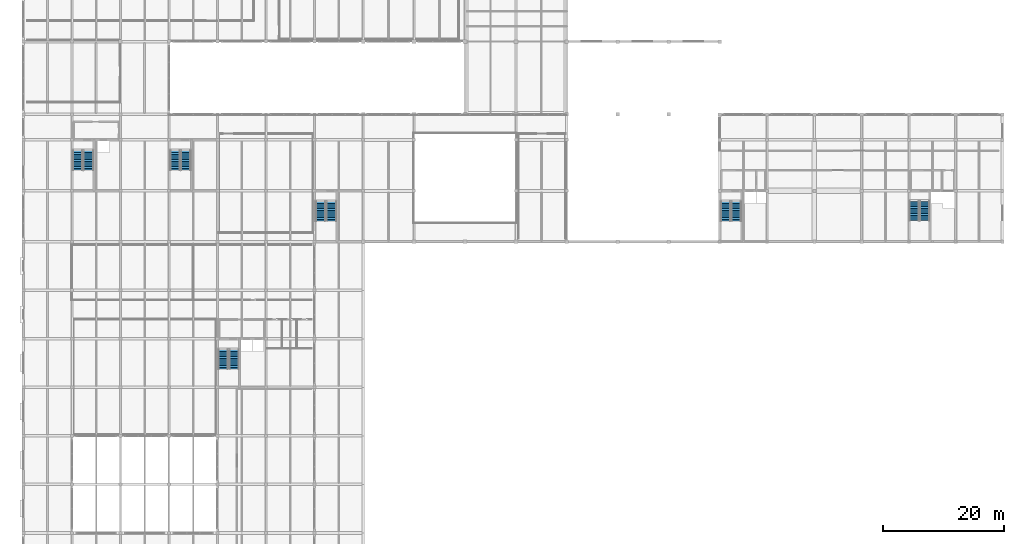
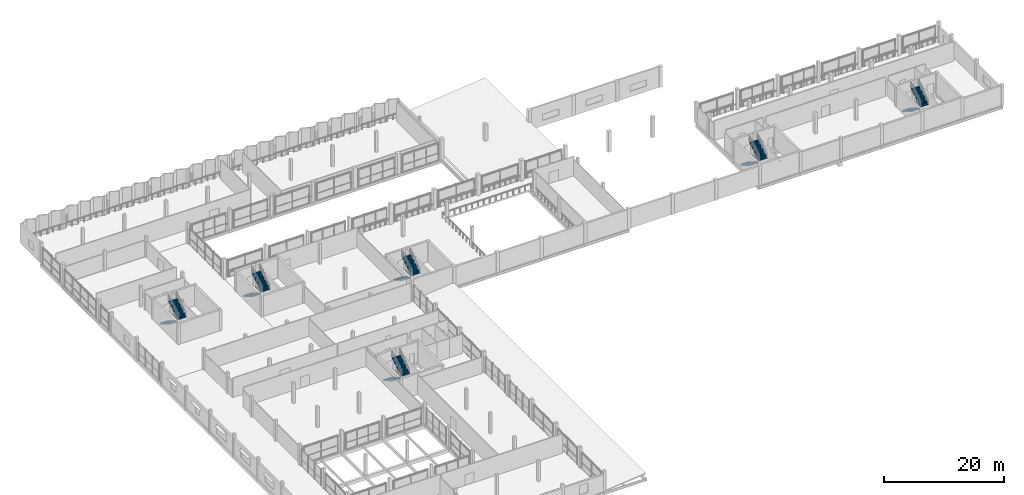
# One storey, part 45 of 53: 12 stair flights, 6 elements without a shape of their own.
"""IFC4 building model written with IfcOpenShell, lengths in metres."""

from ifc_helpers import new_model, si_unit, direction, frame, origin, place, context, subcontext, project, spatial, polyline, outline, extrude, material, type_object, element, aggregate, save


model = new_model("IFC4")

# Units and contexts
model_context = context("Model", 3, precision=1e-05, world=origin(), true_north=direction((0.0, 1.0)))
body_context = subcontext(model_context, "Body", "Model", "MODEL_VIEW")
ifc_project = project(units=[si_unit("LENGTHUNIT", "METRE"), si_unit("AREAUNIT", "SQUARE_METRE"), si_unit("VOLUMEUNIT", "CUBIC_METRE"), si_unit("PLANEANGLEUNIT", "RADIAN"), si_unit("MASSUNIT", "GRAM", prefix="KILO")], contexts=[model_context])

# Site, building, storey
site_placement = place(None, origin())
site = spatial("IfcSite", under=ifc_project, at=site_placement, CompositionType="ELEMENT")
building_placement = place(site_placement, origin())
building = spatial("IfcBuilding", under=site, at=building_placement, Name="Vharandega Faculty of Natural Sciences", CompositionType="ELEMENT")
storey_placement = place(building_placement, frame((0.0, 0.0, 10.199951171875)))
storey = spatial("IfcBuildingStorey", under=building, at=storey_placement, Name="L02", CompositionType="ELEMENT", Elevation=10.199951171875)

# Stair, stair flights
ifc_material_1 = material(Name="Concrete C40/50", Category="concrete")
stair_type_1 = type_object("IfcStairType", Name="Escape Dog-Leg Stair W160 H420", PredefinedType="HALF_TURN_STAIR", material=ifc_material_1)
stair_1_placement = place(storey_placement, origin())
stair_1 = element("IfcStair", 1, at=stair_1_placement, inside=storey, type_object=stair_type_1, Name="L02 Escape Stair ST2", PredefinedType="HALF_TURN_STAIR")
ifc_material_2 = material(Name="Concrete C40/50", Category="concrete")
stair_flight_type_1 = type_object("IfcStairFlightType", Name="Precast Stair Flight W160 H420", PredefinedType="STRAIGHT", material=ifc_material_2)
stair_flight_1_placement = place(storey_placement, frame((146.860107421875, 70.659912109375, 0.0), z_axis=(0.0, 0.0, 1.0), x_axis=(0.0, -1.0, 0.0)))
stair_flight_1 = element("IfcStairFlight", 2, at=stair_flight_1_placement, type_object=stair_flight_type_1, Name="ST2 flight 1", NumberOfRisers=12, NumberOfTreads=11, PredefinedType="STRAIGHT", RiserHeight=0.175, TreadLength=0.29, context=body_context, shape_type="SweptSolid", body=[
    extrude(outline(polyline([(0.0, 0.0), (0.0, 0.175048828125), (0.2900390625, 0.175048828125), (0.2900390625, 0.35009765625), (0.580078125, 0.35009765625), (0.580078125, 0.52490234375), (0.8701171875, 0.52490234375), (0.8701171875, 0.699951171875), (1.159912109375, 0.699951171875), (1.159912109375, 0.875), (1.449951171875, 0.875), (1.449951171875, 1.050048828125), (1.739990234375, 1.050048828125), (1.739990234375, 1.22509765625), (2.030029296875, 1.22509765625), (2.030029296875, 1.39990234375), (2.320068359375, 1.39990234375), (2.320068359375, 1.574951171875), (2.610107421875, 1.574951171875), (2.610107421875, 1.75), (2.89990234375, 1.75), (2.89990234375, 1.925048828125), (3.18994140625, 1.925048828125), (3.18994140625, 2.10009765625), (3.18994140625, 1.75), (0.2900390625, 0.0), (0.0, 0.0)])), frame((0.0, 0.800048828125, 0.0), z_axis=(0.0, -1.0, 0.0), x_axis=(1.0, 0.0, 0.0)), (0.0, 0.0, 1.0), 1.60009765625),
])
stair_flight_2_placement = place(storey_placement, frame((148.580078125, 67.469970703125, 2.10009765625), z_axis=(0.0, 0.0, 1.0), x_axis=(0.0, 1.0, 0.0)))
stair_flight_2 = element("IfcStairFlight", 3, at=stair_flight_2_placement, type_object=stair_flight_type_1, Name="ST2 flight 2", NumberOfRisers=12, NumberOfTreads=11, PredefinedType="STRAIGHT", RiserHeight=0.175, TreadLength=0.29, context=body_context, shape_type="SweptSolid", body=[
    extrude(outline(polyline([(0.0, 0.0), (0.0, 0.175048828125), (0.2900390625, 0.175048828125), (0.2900390625, 0.35009765625), (0.580078125, 0.35009765625), (0.580078125, 0.52490234375), (0.8701171875, 0.52490234375), (0.8701171875, 0.699951171875), (1.159912109375, 0.699951171875), (1.159912109375, 0.875), (1.449951171875, 0.875), (1.449951171875, 1.050048828125), (1.739990234375, 1.050048828125), (1.739990234375, 1.22509765625), (2.030029296875, 1.22509765625), (2.030029296875, 1.39990234375), (2.320068359375, 1.39990234375), (2.320068359375, 1.574951171875), (2.610107421875, 1.574951171875), (2.610107421875, 1.75), (2.89990234375, 1.75), (2.89990234375, 1.925048828125), (3.18994140625, 1.925048828125), (3.18994140625, 2.10009765625), (3.18994140625, 1.75), (0.2900390625, 0.0), (0.0, 0.0)])), frame((0.0, 0.800048828125, 0.0), z_axis=(0.0, -1.0, 0.0), x_axis=(1.0, 0.0, 0.0)), (0.0, 0.0, 1.0), 1.60009765625),
])
aggregate(stair_1, [stair_flight_1, stair_flight_2])

ifc_material_3 = material(Name="Concrete C40/50", Category="concrete")
stair_type_2 = type_object("IfcStairType", Name="Escape Dog-Leg Stair W165 H420", PredefinedType="HALF_TURN_STAIR", material=ifc_material_3)
stair_2_placement = place(storey_placement, origin())
stair_2 = element("IfcStair", 4, at=stair_2_placement, inside=storey, type_object=stair_type_2, Name="L02 Escape Stair ST1", PredefinedType="HALF_TURN_STAIR")
ifc_material_4 = material(Name="Concrete C40/50", Category="concrete")
stair_flight_type_2 = type_object("IfcStairFlightType", Name="Precast Stair Flight W165 H420", PredefinedType="STRAIGHT", material=ifc_material_4)
stair_flight_3_placement = place(storey_placement, frame((115.764892578125, 70.610107421875, 0.0), z_axis=(0.0, 0.0, 1.0), x_axis=(0.0, -1.0, 0.0)))
stair_flight_3 = element("IfcStairFlight", 5, at=stair_flight_3_placement, type_object=stair_flight_type_2, Name="ST1 flight 1", NumberOfRisers=12, NumberOfTreads=11, PredefinedType="STRAIGHT", RiserHeight=0.175, TreadLength=0.29, context=body_context, shape_type="SweptSolid", body=[
    extrude(outline(polyline([(0.0, 0.0), (0.0, 0.175048828125), (0.2900390625, 0.175048828125), (0.2900390625, 0.35009765625), (0.580078125, 0.35009765625), (0.580078125, 0.52490234375), (0.8701171875, 0.52490234375), (0.8701171875, 0.699951171875), (1.159912109375, 0.699951171875), (1.159912109375, 0.875), (1.449951171875, 0.875), (1.449951171875, 1.050048828125), (1.739990234375, 1.050048828125), (1.739990234375, 1.22509765625), (2.030029296875, 1.22509765625), (2.030029296875, 1.39990234375), (2.320068359375, 1.39990234375), (2.320068359375, 1.574951171875), (2.610107421875, 1.574951171875), (2.610107421875, 1.75), (2.89990234375, 1.75), (2.89990234375, 1.925048828125), (3.18994140625, 1.925048828125), (3.18994140625, 2.10009765625), (3.18994140625, 1.75), (0.2900390625, 0.0), (0.0, 0.0)])), frame((0.0, 0.824951171875, 0.0), z_axis=(0.0, -1.0, 0.0), x_axis=(1.0, 0.0, 0.0)), (0.0, 0.0, 1.0), 1.64990234375),
])
stair_flight_4_placement = place(storey_placement, frame((117.534912109375, 67.419921875, 2.10009765625), z_axis=(0.0, 0.0, 1.0), x_axis=(0.0, 1.0, 0.0)))
stair_flight_4 = element("IfcStairFlight", 6, at=stair_flight_4_placement, type_object=stair_flight_type_2, Name="ST1 flight 2", NumberOfRisers=12, NumberOfTreads=11, PredefinedType="STRAIGHT", RiserHeight=0.175, TreadLength=0.29, context=body_context, shape_type="SweptSolid", body=[
    extrude(outline(polyline([(0.0, 0.0), (0.0, 0.175048828125), (0.2900390625, 0.175048828125), (0.2900390625, 0.35009765625), (0.580078125, 0.35009765625), (0.580078125, 0.52490234375), (0.8701171875, 0.52490234375), (0.8701171875, 0.699951171875), (1.159912109375, 0.699951171875), (1.159912109375, 0.875), (1.449951171875, 0.875), (1.449951171875, 1.050048828125), (1.739990234375, 1.050048828125), (1.739990234375, 1.22509765625), (2.030029296875, 1.22509765625), (2.030029296875, 1.39990234375), (2.320068359375, 1.39990234375), (2.320068359375, 1.574951171875), (2.610107421875, 1.574951171875), (2.610107421875, 1.75), (2.89990234375, 1.75), (2.89990234375, 1.925048828125), (3.18994140625, 1.925048828125), (3.18994140625, 2.10009765625), (3.18994140625, 1.75), (0.2900390625, 0.0), (0.0, 0.0)])), frame((0.0, 0.824951171875, 0.0), z_axis=(0.0, -1.0, 0.0), x_axis=(1.0, 0.0, 0.0)), (0.0, 0.0, 1.0), 1.64990234375),
])
aggregate(stair_2, [stair_flight_3, stair_flight_4])

stair_3_placement = place(storey_placement, origin())
stair_3 = element("IfcStair", 7, at=stair_3_placement, inside=storey, type_object=stair_type_2, Name="L02 Escape Stair ST3", PredefinedType="HALF_TURN_STAIR")
stair_flight_5_placement = place(storey_placement, frame((32.965087890625, 46.2099609375, 0.0), z_axis=(0.0, 0.0, 1.0), x_axis=(0.0, -1.0, 0.0)))
stair_flight_5 = element("IfcStairFlight", 8, at=stair_flight_5_placement, type_object=stair_flight_type_2, Name="ST3 flight 1", NumberOfRisers=12, NumberOfTreads=11, PredefinedType="STRAIGHT", RiserHeight=0.175, TreadLength=0.29, context=body_context, shape_type="SweptSolid", body=[
    extrude(outline(polyline([(0.0, 0.0), (0.0, 0.175048828125), (0.2900390625, 0.175048828125), (0.2900390625, 0.35009765625), (0.580078125, 0.35009765625), (0.580078125, 0.52490234375), (0.8701171875, 0.52490234375), (0.8701171875, 0.699951171875), (1.159912109375, 0.699951171875), (1.159912109375, 0.875), (1.449951171875, 0.875), (1.449951171875, 1.050048828125), (1.739990234375, 1.050048828125), (1.739990234375, 1.22509765625), (2.030029296875, 1.22509765625), (2.030029296875, 1.39990234375), (2.320068359375, 1.39990234375), (2.320068359375, 1.574951171875), (2.610107421875, 1.574951171875), (2.610107421875, 1.75), (2.89990234375, 1.75), (2.89990234375, 1.925048828125), (3.18994140625, 1.925048828125), (3.18994140625, 2.10009765625), (3.18994140625, 1.75), (0.2900390625, 0.0), (0.0, 0.0)])), frame((0.0, 0.824951171875, 0.0), z_axis=(0.0, -1.0, 0.0), x_axis=(1.0, 0.0, 0.0)), (0.0, 0.0, 1.0), 1.64990234375),
])
stair_flight_6_placement = place(storey_placement, frame((34.735107421875, 43.02001953125, 2.10009765625), z_axis=(0.0, 0.0, 1.0), x_axis=(0.0, 1.0, 0.0)))
stair_flight_6 = element("IfcStairFlight", 9, at=stair_flight_6_placement, type_object=stair_flight_type_2, Name="ST3 flight 2", NumberOfRisers=12, NumberOfTreads=11, PredefinedType="STRAIGHT", RiserHeight=0.175, TreadLength=0.29, context=body_context, shape_type="SweptSolid", body=[
    extrude(outline(polyline([(0.0, 0.0), (0.0, 0.175048828125), (0.2900390625, 0.175048828125), (0.2900390625, 0.35009765625), (0.580078125, 0.35009765625), (0.580078125, 0.52490234375), (0.8701171875, 0.52490234375), (0.8701171875, 0.699951171875), (1.159912109375, 0.699951171875), (1.159912109375, 0.875), (1.449951171875, 0.875), (1.449951171875, 1.050048828125), (1.739990234375, 1.050048828125), (1.739990234375, 1.22509765625), (2.030029296875, 1.22509765625), (2.030029296875, 1.39990234375), (2.320068359375, 1.39990234375), (2.320068359375, 1.574951171875), (2.610107421875, 1.574951171875), (2.610107421875, 1.75), (2.89990234375, 1.75), (2.89990234375, 1.925048828125), (3.18994140625, 1.925048828125), (3.18994140625, 2.10009765625), (3.18994140625, 1.75), (0.2900390625, 0.0), (0.0, 0.0)])), frame((0.0, 0.824951171875, 0.0), z_axis=(0.0, -1.0, 0.0), x_axis=(1.0, 0.0, 0.0)), (0.0, 0.0, 1.0), 1.64990234375),
])
aggregate(stair_3, [stair_flight_5, stair_flight_6])

stair_4_placement = place(storey_placement, origin())
stair_4 = element("IfcStair", 10, at=stair_4_placement, inside=storey, type_object=stair_type_2, Name="L02 Escape Stair ST4", PredefinedType="HALF_TURN_STAIR")
stair_flight_7_placement = place(storey_placement, frame((8.965087890625, 79.010009765625, 0.0), z_axis=(0.0, 0.0, 1.0), x_axis=(0.0, -1.0, 0.0)))
stair_flight_7 = element("IfcStairFlight", 11, at=stair_flight_7_placement, type_object=stair_flight_type_2, Name="ST4 flight 1", NumberOfRisers=12, NumberOfTreads=11, PredefinedType="STRAIGHT", RiserHeight=0.175, TreadLength=0.29, context=body_context, shape_type="SweptSolid", body=[
    extrude(outline(polyline([(0.0, 0.0), (0.0, 0.175048828125), (0.2900390625, 0.175048828125), (0.2900390625, 0.35009765625), (0.580078125, 0.35009765625), (0.580078125, 0.52490234375), (0.8701171875, 0.52490234375), (0.8701171875, 0.699951171875), (1.159912109375, 0.699951171875), (1.159912109375, 0.875), (1.449951171875, 0.875), (1.449951171875, 1.050048828125), (1.739990234375, 1.050048828125), (1.739990234375, 1.22509765625), (2.030029296875, 1.22509765625), (2.030029296875, 1.39990234375), (2.320068359375, 1.39990234375), (2.320068359375, 1.574951171875), (2.610107421875, 1.574951171875), (2.610107421875, 1.75), (2.89990234375, 1.75), (2.89990234375, 1.925048828125), (3.18994140625, 1.925048828125), (3.18994140625, 2.10009765625), (3.18994140625, 1.75), (0.2900390625, 0.0), (0.0, 0.0)])), frame((0.0, 0.824951171875, 0.0), z_axis=(0.0, -1.0, 0.0), x_axis=(1.0, 0.0, 0.0)), (0.0, 0.0, 1.0), 1.64990234375),
])
stair_flight_8_placement = place(storey_placement, frame((10.735107421875, 75.820068359375, 2.10009765625), z_axis=(0.0, 0.0, 1.0), x_axis=(0.0, 1.0, 0.0)))
stair_flight_8 = element("IfcStairFlight", 12, at=stair_flight_8_placement, type_object=stair_flight_type_2, Name="ST4 flight 2", NumberOfRisers=12, NumberOfTreads=11, PredefinedType="STRAIGHT", RiserHeight=0.175, TreadLength=0.29, context=body_context, shape_type="SweptSolid", body=[
    extrude(outline(polyline([(0.0, 0.0), (0.0, 0.175048828125), (0.2900390625, 0.175048828125), (0.2900390625, 0.35009765625), (0.580078125, 0.35009765625), (0.580078125, 0.52490234375), (0.8701171875, 0.52490234375), (0.8701171875, 0.699951171875), (1.159912109375, 0.699951171875), (1.159912109375, 0.875), (1.449951171875, 0.875), (1.449951171875, 1.050048828125), (1.739990234375, 1.050048828125), (1.739990234375, 1.22509765625), (2.030029296875, 1.22509765625), (2.030029296875, 1.39990234375), (2.320068359375, 1.39990234375), (2.320068359375, 1.574951171875), (2.610107421875, 1.574951171875), (2.610107421875, 1.75), (2.89990234375, 1.75), (2.89990234375, 1.925048828125), (3.18994140625, 1.925048828125), (3.18994140625, 2.10009765625), (3.18994140625, 1.75), (0.2900390625, 0.0), (0.0, 0.0)])), frame((0.0, 0.824951171875, 0.0), z_axis=(0.0, -1.0, 0.0), x_axis=(1.0, 0.0, 0.0)), (0.0, 0.0, 1.0), 1.64990234375),
])
aggregate(stair_4, [stair_flight_7, stair_flight_8])

stair_5_placement = place(storey_placement, origin())
stair_5 = element("IfcStair", 13, at=stair_5_placement, inside=storey, type_object=stair_type_2, Name="L02 Escape Stair ST5", PredefinedType="HALF_TURN_STAIR")
stair_flight_9_placement = place(storey_placement, frame((49.02490234375, 70.610107421875, 0.0), z_axis=(0.0, 0.0, 1.0), x_axis=(0.0, -1.0, 0.0)))
stair_flight_9 = element("IfcStairFlight", 14, at=stair_flight_9_placement, type_object=stair_flight_type_2, Name="ST5 flight 1", NumberOfRisers=12, NumberOfTreads=11, PredefinedType="STRAIGHT", RiserHeight=0.175, TreadLength=0.29, context=body_context, shape_type="SweptSolid", body=[
    extrude(outline(polyline([(0.0, 0.0), (0.0, 0.175048828125), (0.2900390625, 0.175048828125), (0.2900390625, 0.35009765625), (0.580078125, 0.35009765625), (0.580078125, 0.52490234375), (0.8701171875, 0.52490234375), (0.8701171875, 0.699951171875), (1.159912109375, 0.699951171875), (1.159912109375, 0.875), (1.449951171875, 0.875), (1.449951171875, 1.050048828125), (1.739990234375, 1.050048828125), (1.739990234375, 1.22509765625), (2.030029296875, 1.22509765625), (2.030029296875, 1.39990234375), (2.320068359375, 1.39990234375), (2.320068359375, 1.574951171875), (2.610107421875, 1.574951171875), (2.610107421875, 1.75), (2.89990234375, 1.75), (2.89990234375, 1.925048828125), (3.18994140625, 1.925048828125), (3.18994140625, 2.10009765625), (3.18994140625, 1.75), (0.2900390625, 0.0), (0.0, 0.0)])), frame((0.0, 0.824951171875, 0.0), z_axis=(0.0, -1.0, 0.0), x_axis=(1.0, 0.0, 0.0)), (0.0, 0.0, 1.0), 1.64990234375),
])
stair_flight_10_placement = place(storey_placement, frame((50.794921875, 67.419921875, 2.10009765625), z_axis=(0.0, 0.0, 1.0), x_axis=(0.0, 1.0, 0.0)))
stair_flight_10 = element("IfcStairFlight", 15, at=stair_flight_10_placement, type_object=stair_flight_type_2, Name="ST5 flight 2", NumberOfRisers=12, NumberOfTreads=11, PredefinedType="STRAIGHT", RiserHeight=0.175, TreadLength=0.29, context=body_context, shape_type="SweptSolid", body=[
    extrude(outline(polyline([(0.0, 0.0), (0.0, 0.175048828125), (0.2900390625, 0.175048828125), (0.2900390625, 0.35009765625), (0.580078125, 0.35009765625), (0.580078125, 0.52490234375), (0.8701171875, 0.52490234375), (0.8701171875, 0.699951171875), (1.159912109375, 0.699951171875), (1.159912109375, 0.875), (1.449951171875, 0.875), (1.449951171875, 1.050048828125), (1.739990234375, 1.050048828125), (1.739990234375, 1.22509765625), (2.030029296875, 1.22509765625), (2.030029296875, 1.39990234375), (2.320068359375, 1.39990234375), (2.320068359375, 1.574951171875), (2.610107421875, 1.574951171875), (2.610107421875, 1.75), (2.89990234375, 1.75), (2.89990234375, 1.925048828125), (3.18994140625, 1.925048828125), (3.18994140625, 2.10009765625), (3.18994140625, 1.75), (0.2900390625, 0.0), (0.0, 0.0)])), frame((0.0, 0.824951171875, 0.0), z_axis=(0.0, -1.0, 0.0), x_axis=(1.0, 0.0, 0.0)), (0.0, 0.0, 1.0), 1.64990234375),
])
aggregate(stair_5, [stair_flight_9, stair_flight_10])

stair_6_placement = place(storey_placement, origin())
stair_6 = element("IfcStair", 16, at=stair_6_placement, inside=storey, type_object=stair_type_2, Name="L02 Escape Stair ST6", PredefinedType="HALF_TURN_STAIR")
stair_flight_11_placement = place(storey_placement, frame((25.02490234375, 79.010009765625, 0.0), z_axis=(0.0, 0.0, 1.0), x_axis=(0.0, -1.0, 0.0)))
stair_flight_11 = element("IfcStairFlight", 17, at=stair_flight_11_placement, type_object=stair_flight_type_2, Name="ST6 flight 1", NumberOfRisers=12, NumberOfTreads=11, PredefinedType="STRAIGHT", RiserHeight=0.175, TreadLength=0.29, context=body_context, shape_type="SweptSolid", body=[
    extrude(outline(polyline([(0.0, 0.0), (0.0, 0.175048828125), (0.2900390625, 0.175048828125), (0.2900390625, 0.35009765625), (0.580078125, 0.35009765625), (0.580078125, 0.52490234375), (0.8701171875, 0.52490234375), (0.8701171875, 0.699951171875), (1.159912109375, 0.699951171875), (1.159912109375, 0.875), (1.449951171875, 0.875), (1.449951171875, 1.050048828125), (1.739990234375, 1.050048828125), (1.739990234375, 1.22509765625), (2.030029296875, 1.22509765625), (2.030029296875, 1.39990234375), (2.320068359375, 1.39990234375), (2.320068359375, 1.574951171875), (2.610107421875, 1.574951171875), (2.610107421875, 1.75), (2.89990234375, 1.75), (2.89990234375, 1.925048828125), (3.18994140625, 1.925048828125), (3.18994140625, 2.10009765625), (3.18994140625, 1.75), (0.2900390625, 0.0), (0.0, 0.0)])), frame((0.0, 0.824951171875, 0.0), z_axis=(0.0, -1.0, 0.0), x_axis=(1.0, 0.0, 0.0)), (0.0, 0.0, 1.0), 1.64990234375),
])
stair_flight_12_placement = place(storey_placement, frame((26.794921875, 75.820068359375, 2.10009765625), z_axis=(0.0, 0.0, 1.0), x_axis=(0.0, 1.0, 0.0)))
stair_flight_12 = element("IfcStairFlight", 18, at=stair_flight_12_placement, type_object=stair_flight_type_2, Name="ST6 flight 2", NumberOfRisers=12, NumberOfTreads=11, PredefinedType="STRAIGHT", RiserHeight=0.175, TreadLength=0.29, context=body_context, shape_type="SweptSolid", body=[
    extrude(outline(polyline([(0.0, 0.0), (0.0, 0.175048828125), (0.2900390625, 0.175048828125), (0.2900390625, 0.35009765625), (0.580078125, 0.35009765625), (0.580078125, 0.52490234375), (0.8701171875, 0.52490234375), (0.8701171875, 0.699951171875), (1.159912109375, 0.699951171875), (1.159912109375, 0.875), (1.449951171875, 0.875), (1.449951171875, 1.050048828125), (1.739990234375, 1.050048828125), (1.739990234375, 1.22509765625), (2.030029296875, 1.22509765625), (2.030029296875, 1.39990234375), (2.320068359375, 1.39990234375), (2.320068359375, 1.574951171875), (2.610107421875, 1.574951171875), (2.610107421875, 1.75), (2.89990234375, 1.75), (2.89990234375, 1.925048828125), (3.18994140625, 1.925048828125), (3.18994140625, 2.10009765625), (3.18994140625, 1.75), (0.2900390625, 0.0), (0.0, 0.0)])), frame((0.0, 0.824951171875, 0.0), z_axis=(0.0, -1.0, 0.0), x_axis=(1.0, 0.0, 0.0)), (0.0, 0.0, 1.0), 1.64990234375),
])
aggregate(stair_6, [stair_flight_11, stair_flight_12])

save(model, "model.ifc")
